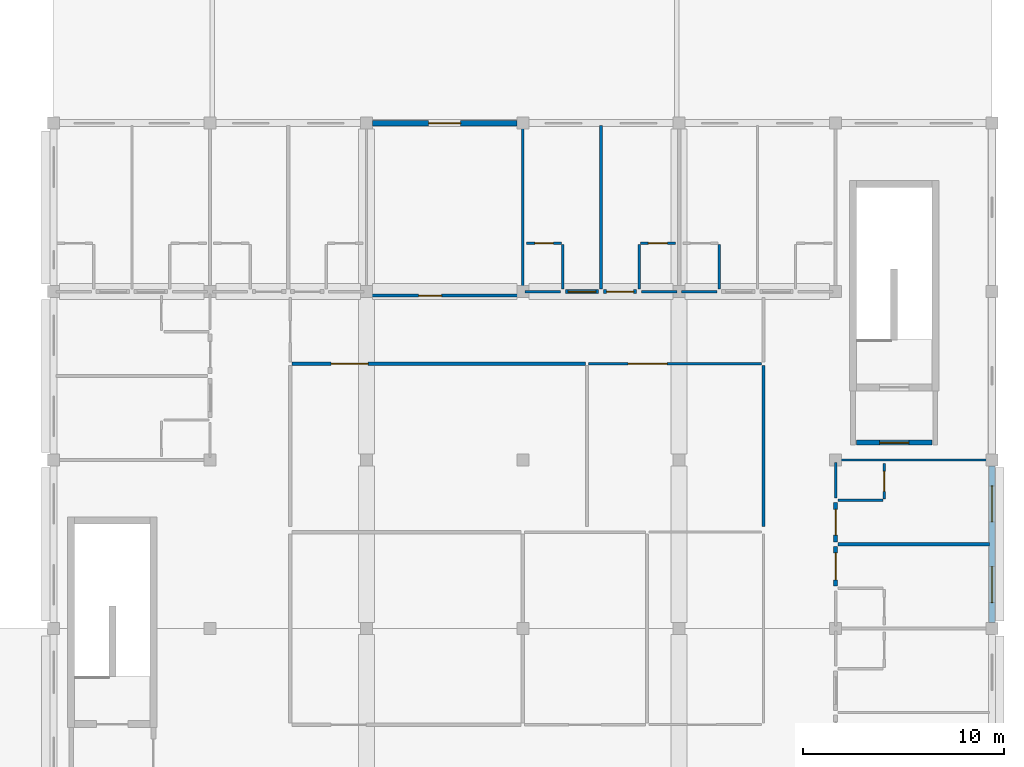
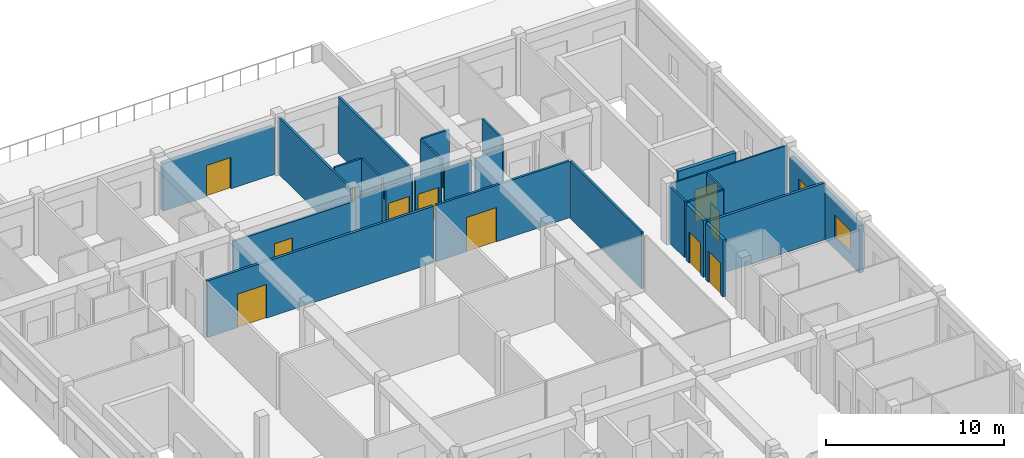
# One storey, part 23 of 32: 26 walls, 12 doors, 2 windows, 14 openings.
"""IFC4 building model written with IfcOpenShell, lengths in metres."""

from ifc_helpers import new_model, si_unit, direction, frame, frame_2d, origin, place, context, subcontext, project, spatial, rectangle, extrude, material, layer, layer_set, type_object, element, fill, save


model = new_model("IFC4")

# Units and contexts
model_context = context("Model", 3, precision=1e-05, world=origin(), true_north=direction((0.0, 1.0)))
body_context = subcontext(model_context, "Body", "Model", "MODEL_VIEW")
ifc_project = project(units=[si_unit("LENGTHUNIT", "METRE"), si_unit("AREAUNIT", "SQUARE_METRE"), si_unit("VOLUMEUNIT", "CUBIC_METRE"), si_unit("PLANEANGLEUNIT", "RADIAN"), si_unit("MASSUNIT", "GRAM", prefix="KILO"), si_unit("THERMODYNAMICTEMPERATUREUNIT", "KELVIN"), si_unit("POWERUNIT", "WATT")], contexts=[model_context])

# Site, building, storey
site_placement = place(None, origin())
site = spatial("IfcSite", under=ifc_project, at=site_placement, CompositionType="ELEMENT")
building_placement = place(site_placement, origin())
building = spatial("IfcBuilding", under=site, at=building_placement, Name="Srebrne Nadtorze General Hospital", CompositionType="ELEMENT")
storey_placement = place(building_placement, frame((0.0, 0.0, 29.699951171875)))
storey = spatial("IfcBuildingStorey", under=building, at=storey_placement, Name="L07", CompositionType="ELEMENT", Elevation=29.699951171875)

# Walls
ifc_material_1 = material(Name="Gypsum Healthcare Partition")
ifc_layer_1 = layer(ifc_material_1, 0.139892578125)
ifc_layer_set_1 = layer_set([ifc_layer_1], Name="Gypsum Healthcare Partition")
wall_type_1 = type_object("IfcWallType", Name="Clinical partition 140", PredefinedType="PARTITIONING", material=ifc_layer_set_1)
for number, where, z_axis, x_axis, name in (
    (1, (124.800048828125, 75.719970703125, 0.0), (0.0, 0.0, 1.0), (0.0, 1.0, 0.0), "Ward inter-room partition WL-INT-L07-2350"),
    (2, (128.699951171875, 75.719970703125, 0.0), (0.0, 0.0, 1.0), (0.0, 1.0, 0.0), "Ward inter-room partition WL-INT-L07-2351"),
):
    element("IfcWall", number, at=place(storey_placement, frame(where, z_axis=z_axis, x_axis=x_axis)), inside=storey, type_object=wall_type_1, Name=name, PredefinedType="PARTITIONING", context=body_context, shape_type="SweptSolid", body=[
        extrude(rectangle(XDim=8.159912109375, YDim=0.139892578125, at=frame_2d((4.080078125, 0.0))), origin(), (0.0, 0.0, 1.0), 3.880126953125),
    ])

# Wall, opening, door
wall_1_placement = place(storey_placement, frame((128.0849609375, 72.0, 0.0), z_axis=(0.0, 0.0, 1.0), x_axis=(1.0, 0.0, 0.0)))
wall_1 = element("IfcWall", 3, at=wall_1_placement, inside=storey, type_object=wall_type_1, Name="Obstetrics Delivery Suite wall WL-INT-L07-2454", PredefinedType="PARTITIONING", context=body_context, shape_type="SweptSolid", body=[
    extrude(rectangle(XDim=8.630126953125, YDim=0.139892578125, at=frame_2d((4.31494140625, 0.0))), origin(), (0.0, 0.0, 1.0), 3.880126953125),
])
opening_1_placement = place(wall_1_placement, frame((1.966796875, 0.0, 0.0)))
opening_1 = element("IfcOpeningElement", 4, at=opening_1_placement, cuts=wall_1, Name="Opening D-L07-0568", PredefinedType="OPENING", context=body_context, shape_type="SweptSolid", body=[
    extrude(rectangle(XDim=1.949951171875, YDim=2.35009765625, at=frame_2d((0.97509765625, 1.175048828125))), frame((0.0, 0.08203125, 0.0), z_axis=(0.0, -1.0, 0.0), x_axis=(1.0, 0.0, 0.0)), (0.0, 0.0, 1.0), 0.163818359375),
])
ifc_material_2 = material(Name="Anodised Aluminium", Category="aluminium")
door_type_1 = type_object("IfcDoorType", Name="Double leaf door 1950x2350", OperationType="DOUBLE_DOOR_SINGLE_SWING", PredefinedType="DOOR", material=ifc_material_2)
door_1_placement = place(opening_1_placement, frame((1.949951171875, 0.0, 0.0), z_axis=(0.0, 0.0, 1.0), x_axis=(-1.0, 0.0, 0.0)))
door_1 = element("IfcDoor", 5, at=door_1_placement, inside=storey, type_object=door_type_1, Name="Obstetrics Delivery Suite door D-L07-0568", OperationType="DOUBLE_DOOR_SINGLE_SWING", OverallHeight=2.35009765625, OverallWidth=1.949951171875, PredefinedType="DOOR", context=body_context, shape_type="SweptSolid", body=[
    extrude(rectangle(XDim=1.949951171875, YDim=2.35009765625, at=frame_2d((0.97509765625, 1.175048828125))), frame((0.0, 0.02490234375, 0.0), z_axis=(0.0, -1.0, 0.0), x_axis=(1.0, 0.0, 0.0)), (0.0, 0.0, 1.0), 0.050048828125),
])
fill(opening_1, door_1)

# Wall
wall_2_placement = place(storey_placement, frame((136.800048828125, 63.885009765625, 0.0), z_axis=(0.0, 0.0, 1.0), x_axis=(0.0, 1.0, 0.0)))
element("IfcWall", 6, at=wall_2_placement, inside=storey, type_object=wall_type_1, Name="Obstetrics Delivery Suite wall WL-INT-L07-2455", PredefinedType="PARTITIONING", context=body_context, shape_type="SweptSolid", body=[
    extrude(rectangle(XDim=8.030029296875, YDim=0.139892578125, at=frame_2d((4.01513671875, 0.0))), origin(), (0.0, 0.0, 1.0), 3.880126953125),
])

# Wall, opening, door
wall_3_placement = place(storey_placement, frame((116.919921875, 75.39990234375, 0.0), z_axis=(0.0, 0.0, 1.0), x_axis=(1.0, 0.0, 0.0)))
wall_3 = element("IfcWall", 7, at=wall_3_placement, inside=storey, type_object=wall_type_1, Name="Inpatient Ward Day Room wall WL-INT-L07-2464", PredefinedType="PARTITIONING", context=body_context, shape_type="SweptSolid", body=[
    extrude(rectangle(XDim=7.9599609375, YDim=0.139892578125, at=frame_2d((3.97998046875, 0.0))), origin(), (0.0, 0.0, 1.0), 3.25),
])
opening_2_placement = place(wall_3_placement, frame((2.684326171875, 0.0, 0.0)))
opening_2 = element("IfcOpeningElement", 8, at=opening_2_placement, cuts=wall_3, Name="Opening D-L07-0571", PredefinedType="OPENING", context=body_context, shape_type="SweptSolid", body=[
    extrude(rectangle(XDim=1.14990234375, YDim=2.14990234375, at=frame_2d((0.574951171875, 1.074951171875))), frame((0.0, 0.08203125, 0.0), z_axis=(0.0, -1.0, 0.0), x_axis=(1.0, 0.0, 0.0)), (0.0, 0.0, 1.0), 0.163818359375),
])
ifc_material_3 = material(Name="Anodised Aluminium", Category="aluminium")
door_type_2 = type_object("IfcDoorType", Name="Single leaf door 1150x2150", OperationType="NOTDEFINED", PredefinedType="DOOR", material=ifc_material_3)
door_2_placement = place(opening_2_placement, frame((1.14990234375, 0.0, 0.0), z_axis=(0.0, 0.0, 1.0), x_axis=(-1.0, 0.0, 0.0)))
door_2 = element("IfcDoor", 9, at=door_2_placement, inside=storey, type_object=door_type_2, Name="Inpatient Ward Day Room door D-L07-0571", OperationType="SINGLE_SWING_RIGHT", OverallHeight=2.14990234375, OverallWidth=1.14990234375, PredefinedType="DOOR", context=body_context, shape_type="SweptSolid", body=[
    extrude(rectangle(XDim=1.14990234375, YDim=2.14990234375, at=frame_2d((0.574951171875, 1.074951171875))), frame((0.0, 0.02490234375, 0.0), z_axis=(0.0, -1.0, 0.0), x_axis=(1.0, 0.0, 0.0)), (0.0, 0.0, 1.0), 0.050048828125),
])
fill(opening_2, door_2)

# Wall
ifc_material_4 = material(Name="Gypsum Healthcare Partition")
ifc_layer_2 = layer(ifc_material_4, 0.159912109375)
ifc_layer_set_2 = layer_set([ifc_layer_2], Name="Gypsum Healthcare Partition")
wall_type_2 = type_object("IfcWallType", Name="Clinical partition 160", PredefinedType="PARTITIONING", material=ifc_layer_set_2)
wall_4_placement = place(storey_placement, frame((140.52001953125, 63.0, 0.0), z_axis=(0.0, 0.0, 1.0), x_axis=(1.0, 0.0, 0.0)))
element("IfcWall", 10, at=wall_4_placement, inside=storey, type_object=wall_type_2, Name="Ward inter-room partition WL-INT-L07-2401", PredefinedType="PARTITIONING", context=body_context, shape_type="SweptSolid", body=[
    extrude(rectangle(XDim=7.56005859375, YDim=0.159912109375, at=frame_2d((3.780029296875, 0.0))), origin(), (0.0, 0.0, 1.0), 3.880126953125),
])

# Wall, opening, door
wall_5_placement = place(storey_placement, frame((113.284912109375, 72.0, 0.0), z_axis=(0.0, 0.0, 1.0), x_axis=(1.0, 0.0, 0.0)))
wall_5 = element("IfcWall", 11, at=wall_5_placement, inside=storey, type_object=wall_type_2, Name="Neonatal Intensive Care wall WL-INT-L07-2451", PredefinedType="PARTITIONING", context=body_context, shape_type="SweptSolid", body=[
    extrude(rectangle(XDim=14.630126953125, YDim=0.159912109375, at=frame_2d((7.31494140625, 0.0))), origin(), (0.0, 0.0, 1.0), 3.880126953125),
])
opening_3_placement = place(wall_5_placement, frame((1.95556640625, 0.0, 0.0)))
opening_3 = element("IfcOpeningElement", 12, at=opening_3_placement, cuts=wall_5, Name="Opening D-L07-0567", PredefinedType="OPENING", context=body_context, shape_type="SweptSolid", body=[
    extrude(rectangle(XDim=1.85009765625, YDim=2.300048828125, at=frame_2d((0.925048828125, 1.14990234375))), frame((0.0, 0.091796875, 0.0), z_axis=(0.0, -1.0, 0.0), x_axis=(1.0, 0.0, 0.0)), (0.0, 0.0, 1.0), 0.183837890625),
])
ifc_material_5 = material(Name="Anodised Aluminium", Category="aluminium")
door_type_3 = type_object("IfcDoorType", Name="Double leaf door 1850x2300", OperationType="DOUBLE_DOOR_SINGLE_SWING", PredefinedType="DOOR", material=ifc_material_5)
door_3_placement = place(opening_3_placement, frame((1.85009765625, 0.0, 0.0), z_axis=(0.0, 0.0, 1.0), x_axis=(-1.0, 0.0, 0.0)))
door_3 = element("IfcDoor", 13, at=door_3_placement, inside=storey, type_object=door_type_3, Name="Neonatal Intensive Care door D-L07-0567", OperationType="DOUBLE_DOOR_SINGLE_SWING", OverallHeight=2.300048828125, OverallWidth=1.85009765625, PredefinedType="DOOR", context=body_context, shape_type="SweptSolid", body=[
    extrude(rectangle(XDim=1.85009765625, YDim=2.300048828125, at=frame_2d((0.925048828125, 1.14990234375))), frame((0.0, 0.02490234375, 0.0), z_axis=(0.0, -1.0, 0.0), x_axis=(1.0, 0.0, 0.0)), (0.0, 0.0, 1.0), 0.050048828125),
])
fill(opening_3, door_3)

ifc_material_6 = material(Name="Gypsum Healthcare Partition")
ifc_layer_3 = layer(ifc_material_6, 0.199951171875)
ifc_layer_set_3 = layer_set([ifc_layer_3], Name="Gypsum Healthcare Partition")
wall_type_3 = type_object("IfcWallType", Name="Compartment wall 200", PredefinedType="STANDARD", material=ifc_layer_set_3)
wall_6_placement = place(storey_placement, frame((126.919921875, 75.60009765625, 0.0), z_axis=(0.0, 0.0, 1.0), x_axis=(1.0, 0.0, 0.0)))
wall_6 = element("IfcWall", 14, at=wall_6_placement, inside=storey, type_object=wall_type_3, Name="Ward corridor wall WL-INT-L07-2352", PredefinedType="STANDARD", context=body_context, shape_type="SweptSolid", body=[
    extrude(rectangle(XDim=1.66015625, YDim=0.199951171875, at=frame_2d((0.830078125, 0.0))), origin(), (0.0, 0.0, 1.0), 3.25),
])
opening_4_placement = place(wall_6_placement, frame((0.139892578125, 0.0, 0.0)))
opening_4 = element("IfcOpeningElement", 15, at=opening_4_placement, cuts=wall_6, Name="Opening D-L07-0529", PredefinedType="OPENING", context=body_context, shape_type="SweptSolid", body=[
    extrude(rectangle(XDim=1.3798828125, YDim=2.199951171875, at=frame_2d((0.68994140625, 1.10009765625))), frame((0.0, 0.11181640625, 0.0), z_axis=(0.0, -1.0, 0.0), x_axis=(1.0, 0.0, 0.0)), (0.0, 0.0, 1.0), 0.223876953125),
])
ifc_material_7 = material(Name="Anodised Aluminium", Category="aluminium")
door_type_4 = type_object("IfcDoorType", Name="Single leaf door 1380x2200", OperationType="NOTDEFINED", PredefinedType="DOOR", material=ifc_material_7)
door_4_placement = place(opening_4_placement, origin())
door_4 = element("IfcDoor", 16, at=door_4_placement, inside=storey, type_object=door_type_4, Name="Ward patient room door D-L07-0529", OperationType="SINGLE_SWING_LEFT", OverallHeight=2.199951171875, OverallWidth=1.3798828125, PredefinedType="DOOR", context=body_context, shape_type="SweptSolid", body=[
    extrude(rectangle(XDim=1.3798828125, YDim=2.199951171875, at=frame_2d((0.68994140625, 1.10009765625))), frame((0.0, 0.02490234375, 0.0), z_axis=(0.0, -1.0, 0.0), x_axis=(1.0, 0.0, 0.0)), (0.0, 0.0, 1.0), 0.050048828125),
])
fill(opening_4, door_4)

wall_7_placement = place(storey_placement, frame((128.820068359375, 75.60009765625, 0.0), z_axis=(0.0, 0.0, 1.0), x_axis=(1.0, 0.0, 0.0)))
wall_7 = element("IfcWall", 17, at=wall_7_placement, inside=storey, type_object=wall_type_3, Name="Ward corridor wall WL-INT-L07-2357", PredefinedType="STANDARD", context=body_context, shape_type="SweptSolid", body=[
    extrude(rectangle(XDim=1.659912109375, YDim=0.199951171875, at=frame_2d((0.830078125, 0.0))), origin(), (0.0, 0.0, 1.0), 3.25),
])
opening_5_placement = place(wall_7_placement, frame((0.155029296875, 0.0, 0.0)))
opening_5 = element("IfcOpeningElement", 18, at=opening_5_placement, cuts=wall_7, Name="Opening D-L07-0531", PredefinedType="OPENING", context=body_context, shape_type="SweptSolid", body=[
    extrude(rectangle(XDim=1.35009765625, YDim=2.14990234375, at=frame_2d((0.675048828125, 1.074951171875))), frame((0.0, 0.11181640625, 0.0), z_axis=(0.0, -1.0, 0.0), x_axis=(1.0, 0.0, 0.0)), (0.0, 0.0, 1.0), 0.223876953125),
])
ifc_material_8 = material(Name="Anodised Aluminium", Category="aluminium")
door_type_5 = type_object("IfcDoorType", Name="Single leaf door 1350x2150", OperationType="NOTDEFINED", PredefinedType="DOOR", material=ifc_material_8)
door_5_placement = place(opening_5_placement, origin())
door_5 = element("IfcDoor", 19, at=door_5_placement, inside=storey, type_object=door_type_5, Name="Ward patient room door D-L07-0531", OperationType="SINGLE_SWING_LEFT", OverallHeight=2.14990234375, OverallWidth=1.35009765625, PredefinedType="DOOR", context=body_context, shape_type="SweptSolid", body=[
    extrude(rectangle(XDim=1.35009765625, YDim=2.14990234375, at=frame_2d((0.675048828125, 1.074951171875))), frame((0.0, 0.02490234375, 0.0), z_axis=(0.0, -1.0, 0.0), x_axis=(1.0, 0.0, 0.0)), (0.0, 0.0, 1.0), 0.050048828125),
])
fill(opening_5, door_5)

wall_8_placement = place(storey_placement, frame((140.39990234375, 60.919921875, 0.0), z_axis=(0.0, 0.0, 1.0), x_axis=(0.0, 1.0, 0.0)))
wall_8 = element("IfcWall", 20, at=wall_8_placement, inside=storey, type_object=wall_type_3, Name="Ward corridor wall WL-INT-L07-2402", PredefinedType="STANDARD", context=body_context, shape_type="SweptSolid", body=[
    extrude(rectangle(XDim=1.9599609375, YDim=0.199951171875, at=frame_2d((0.97998046875, 0.0))), origin(), (0.0, 0.0, 1.0), 3.880126953125),
])
opening_6_placement = place(wall_8_placement, frame((0.304931640625, 0.0, 0.0)))
opening_6 = element("IfcOpeningElement", 21, at=opening_6_placement, cuts=wall_8, Name="Opening D-L07-0549", PredefinedType="OPENING", context=body_context, shape_type="SweptSolid", body=[
    extrude(rectangle(XDim=1.35009765625, YDim=2.14990234375, at=frame_2d((0.675048828125, 1.074951171875))), frame((0.0, 0.11181640625, 0.0), z_axis=(0.0, -1.0, 0.0), x_axis=(1.0, 0.0, 0.0)), (0.0, 0.0, 1.0), 0.223876953125),
])
door_6_placement = place(opening_6_placement, frame((1.35009765625, 0.0, 0.0), z_axis=(0.0, 0.0, 1.0), x_axis=(-1.0, 0.0, 0.0)))
door_6 = element("IfcDoor", 22, at=door_6_placement, inside=storey, type_object=door_type_5, Name="Ward patient room door D-L07-0549", OperationType="SINGLE_SWING_LEFT", OverallHeight=2.14990234375, OverallWidth=1.35009765625, PredefinedType="DOOR", context=body_context, shape_type="SweptSolid", body=[
    extrude(rectangle(XDim=1.35009765625, YDim=2.14990234375, at=frame_2d((0.675048828125, 1.074951171875))), frame((0.0, 0.02490234375, 0.0), z_axis=(0.0, -1.0, 0.0), x_axis=(1.0, 0.0, 0.0)), (0.0, 0.0, 1.0), 0.050048828125),
])
fill(opening_6, door_6)

wall_9_placement = place(storey_placement, frame((140.39990234375, 63.1201171875, 0.0), z_axis=(0.0, 0.0, 1.0), x_axis=(0.0, 1.0, 0.0)))
wall_9 = element("IfcWall", 23, at=wall_9_placement, inside=storey, type_object=wall_type_3, Name="Ward corridor wall WL-INT-L07-2407", PredefinedType="STANDARD", context=body_context, shape_type="SweptSolid", body=[
    extrude(rectangle(XDim=1.9599609375, YDim=0.199951171875, at=frame_2d((0.97998046875, 0.0))), origin(), (0.0, 0.0, 1.0), 3.880126953125),
])
opening_7_placement = place(wall_9_placement, frame((0.340087890625, 0.0, 0.0)))
opening_7 = element("IfcOpeningElement", 24, at=opening_7_placement, cuts=wall_9, Name="Opening D-L07-0551", PredefinedType="OPENING", context=body_context, shape_type="SweptSolid", body=[
    extrude(rectangle(XDim=1.280029296875, YDim=2.14990234375, at=frame_2d((0.64013671875, 1.074951171875))), frame((0.0, 0.11181640625, 0.0), z_axis=(0.0, -1.0, 0.0), x_axis=(1.0, 0.0, 0.0)), (0.0, 0.0, 1.0), 0.223876953125),
])
ifc_material_9 = material(Name="Anodised Aluminium", Category="aluminium")
door_type_6 = type_object("IfcDoorType", Name="Single leaf door 1280x2150", OperationType="NOTDEFINED", PredefinedType="DOOR", material=ifc_material_9)
door_7_placement = place(opening_7_placement, frame((1.280029296875, 0.0, 0.0), z_axis=(0.0, 0.0, 1.0), x_axis=(-1.0, 0.0, 0.0)))
door_7 = element("IfcDoor", 25, at=door_7_placement, inside=storey, type_object=door_type_6, Name="Ward patient room door D-L07-0551", OperationType="SINGLE_SWING_LEFT", OverallHeight=2.14990234375, OverallWidth=1.280029296875, PredefinedType="DOOR", context=body_context, shape_type="SweptSolid", body=[
    extrude(rectangle(XDim=1.280029296875, YDim=2.14990234375, at=frame_2d((0.64013671875, 1.074951171875))), frame((0.0, 0.02490234375, 0.0), z_axis=(0.0, -1.0, 0.0), x_axis=(1.0, 0.0, 0.0)), (0.0, 0.0, 1.0), 0.050048828125),
])
fill(opening_7, door_7)

ifc_material_10 = material(Name="Gypsum Healthcare Partition")
ifc_layer_4 = layer(ifc_material_10, 0.239990234375)
ifc_layer_set_4 = layer_set([ifc_layer_4], Name="Gypsum Healthcare Partition")
wall_type_4 = type_object("IfcWallType", Name="Corridor fire wall 240", PredefinedType="STANDARD", material=ifc_layer_set_4)
wall_10_placement = place(storey_placement, frame((141.449951171875, 68.074951171875, 0.0), z_axis=(0.0, 0.0, 1.0), x_axis=(1.0, 0.0, 0.0)))
wall_10 = element("IfcWall", 26, at=wall_10_placement, inside=storey, type_object=wall_type_4, Name="Fire lobby entry wall ST-04 WL-INT-L07-0439", PredefinedType="STANDARD", context=body_context, shape_type="SweptSolid", body=[
    extrude(rectangle(XDim=3.75, YDim=0.239990234375, at=frame_2d((1.875, 0.0))), origin(), (0.0, 0.0, 1.0), 3.900146484375),
])
opening_8_placement = place(wall_10_placement, frame((1.14990234375, 0.0, 0.0)))
opening_8 = element("IfcOpeningElement", 27, at=opening_8_placement, cuts=wall_10, Name="Opening D-L07-0110", PredefinedType="OPENING", context=body_context, shape_type="SweptSolid", body=[
    extrude(rectangle(XDim=1.449951171875, YDim=2.199951171875, at=frame_2d((0.72509765625, 1.10009765625))), frame((0.0, 0.1318359375, 0.0), z_axis=(0.0, -1.0, 0.0), x_axis=(1.0, 0.0, 0.0)), (0.0, 0.0, 1.0), 0.263916015625),
])
ifc_material_11 = material(Name="Anodised Aluminium", Category="aluminium")
door_type_7 = type_object("IfcDoorType", Name="Double leaf door 1450x2200", OperationType="DOUBLE_DOOR_SINGLE_SWING", PredefinedType="DOOR", material=ifc_material_11)
door_8_placement = place(opening_8_placement, origin())
door_8 = element("IfcDoor", 28, at=door_8_placement, inside=storey, type_object=door_type_7, Name="Fire lobby door ST-04 D-L07-0110", OperationType="DOUBLE_DOOR_SINGLE_SWING", OverallHeight=2.199951171875, OverallWidth=1.449951171875, PredefinedType="DOOR", context=body_context, shape_type="SweptSolid", body=[
    extrude(rectangle(XDim=1.449951171875, YDim=2.199951171875, at=frame_2d((0.72509765625, 1.10009765625))), frame((0.0, 0.02490234375, 0.0), z_axis=(0.0, -1.0, 0.0), x_axis=(1.0, 0.0, 0.0)), (0.0, 0.0, 1.0), 0.050048828125),
])
fill(opening_8, door_8)

# Walls
ifc_material_12 = material(Name="Gypsum Healthcare Partition")
ifc_layer_5 = layer(ifc_material_12, 0.1201171875)
ifc_layer_set_5 = layer_set([ifc_layer_5], Name="Gypsum Healthcare Partition")
wall_type_5 = type_object("IfcWallType", Name="En-suite partition 120", PredefinedType="PARTITIONING", material=ifc_layer_set_5)
wall_11_placement = place(storey_placement, frame((124.919921875, 75.60009765625, 0.0), z_axis=(0.0, 0.0, 1.0), x_axis=(1.0, 0.0, 0.0)))
element("IfcWall", 29, at=wall_11_placement, inside=storey, type_object=wall_type_5, Name="En-suite corridor wall WL-INT-L07-2353", PredefinedType="PARTITIONING", context=body_context, shape_type="SweptSolid", body=[
    extrude(rectangle(XDim=1.760009765625, YDim=0.1201171875, at=frame_2d((0.8798828125, 0.0))), origin(), (0.0, 0.0, 1.0), 3.25),
])
wall_12_placement = place(storey_placement, frame((126.800048828125, 75.719970703125, 0.0), z_axis=(0.0, 0.0, 1.0), x_axis=(0.0, 1.0, 0.0)))
element("IfcWall", 30, at=wall_12_placement, inside=storey, type_object=wall_type_5, Name="En-suite wet wall WL-INT-L07-2354", PredefinedType="PARTITIONING", context=body_context, shape_type="SweptSolid", body=[
    extrude(rectangle(XDim=2.239990234375, YDim=0.1201171875, at=frame_2d((1.1201171875, 0.0))), origin(), (0.0, 0.0, 1.0), 3.880126953125),
])

# Wall, opening, door
wall_13_placement = place(storey_placement, frame((124.97998046875, 78.02001953125, 0.0), z_axis=(0.0, 0.0, 1.0), x_axis=(1.0, 0.0, 0.0)))
wall_13 = element("IfcWall", 31, at=wall_13_placement, inside=storey, type_object=wall_type_5, Name="En-suite wet wall WL-INT-L07-2355", PredefinedType="PARTITIONING", context=body_context, shape_type="SweptSolid", body=[
    extrude(rectangle(XDim=1.760009765625, YDim=0.1201171875, at=frame_2d((0.8798828125, 0.0))), origin(), (0.0, 0.0, 1.0), 3.880126953125),
])
opening_9_placement = place(wall_13_placement, frame((0.419921875, 0.0, 0.0)))
opening_9 = element("IfcOpeningElement", 32, at=opening_9_placement, cuts=wall_13, Name="Opening D-L07-0530", PredefinedType="OPENING", context=body_context, shape_type="SweptSolid", body=[
    extrude(rectangle(XDim=0.919921875, YDim=2.080078125, at=frame_2d((0.4599609375, 1.0400390625))), frame((0.0, 0.072021484375, 0.0), z_axis=(0.0, -1.0, 0.0), x_axis=(1.0, 0.0, 0.0)), (0.0, 0.0, 1.0), 0.14404296875),
])
ifc_material_13 = material(Name="Anodised Aluminium", Category="aluminium")
door_type_8 = type_object("IfcDoorType", Name="Single leaf door 920x2080", OperationType="NOTDEFINED", PredefinedType="DOOR", material=ifc_material_13)
door_9_placement = place(opening_9_placement, frame((0.919921875, 0.0, 0.0), z_axis=(0.0, 0.0, 1.0), x_axis=(-1.0, 0.0, 0.0)))
door_9 = element("IfcDoor", 33, at=door_9_placement, inside=storey, type_object=door_type_8, Name="En-suite bathroom door D-L07-0530", OperationType="SINGLE_SWING_LEFT", OverallHeight=2.080078125, OverallWidth=0.919921875, PredefinedType="DOOR", context=body_context, shape_type="SweptSolid", body=[
    extrude(rectangle(XDim=0.919921875, YDim=2.080078125, at=frame_2d((0.4599609375, 1.0400390625))), frame((0.0, 0.02490234375, 0.0), z_axis=(0.0, -1.0, 0.0), x_axis=(1.0, 0.0, 0.0)), (0.0, 0.0, 1.0), 0.050048828125),
])
fill(opening_9, door_9)

# Walls
wall_14_placement = place(storey_placement, frame((130.719970703125, 75.60009765625, 0.0), z_axis=(0.0, 0.0, 1.0), x_axis=(1.0, 0.0, 0.0)))
element("IfcWall", 34, at=wall_14_placement, inside=storey, type_object=wall_type_5, Name="En-suite corridor wall WL-INT-L07-2358", PredefinedType="PARTITIONING", context=body_context, shape_type="SweptSolid", body=[
    extrude(rectangle(XDim=1.760009765625, YDim=0.1201171875, at=frame_2d((0.8798828125, 0.0))), origin(), (0.0, 0.0, 1.0), 3.25),
])
wall_15_placement = place(storey_placement, frame((130.60009765625, 75.719970703125, 0.0), z_axis=(0.0, 0.0, 1.0), x_axis=(0.0, 1.0, 0.0)))
element("IfcWall", 35, at=wall_15_placement, inside=storey, type_object=wall_type_5, Name="En-suite wet wall WL-INT-L07-2359", PredefinedType="PARTITIONING", context=body_context, shape_type="SweptSolid", body=[
    extrude(rectangle(XDim=2.239990234375, YDim=0.1201171875, at=frame_2d((1.1201171875, 0.0))), origin(), (0.0, 0.0, 1.0), 3.880126953125),
])

# Wall, opening, door
wall_16_placement = place(storey_placement, frame((130.659912109375, 78.02001953125, 0.0), z_axis=(0.0, 0.0, 1.0), x_axis=(1.0, 0.0, 0.0)))
wall_16 = element("IfcWall", 36, at=wall_16_placement, inside=storey, type_object=wall_type_5, Name="En-suite wet wall WL-INT-L07-2360", PredefinedType="PARTITIONING", context=body_context, shape_type="SweptSolid", body=[
    extrude(rectangle(XDim=1.760009765625, YDim=0.1201171875, at=frame_2d((0.8798828125, 0.0))), origin(), (0.0, 0.0, 1.0), 3.880126953125),
])
opening_10_placement = place(wall_16_placement, frame((0.405029296875, 0.0, 0.0)))
opening_10 = element("IfcOpeningElement", 37, at=opening_10_placement, cuts=wall_16, Name="Opening D-L07-0532", PredefinedType="OPENING", context=body_context, shape_type="SweptSolid", body=[
    extrude(rectangle(XDim=0.949951171875, YDim=2.10009765625, at=frame_2d((0.47509765625, 1.050048828125))), frame((0.0, 0.072021484375, 0.0), z_axis=(0.0, -1.0, 0.0), x_axis=(1.0, 0.0, 0.0)), (0.0, 0.0, 1.0), 0.14404296875),
])
ifc_material_14 = material(Name="Anodised Aluminium", Category="aluminium")
door_type_9 = type_object("IfcDoorType", Name="Single leaf door 950x2100", OperationType="NOTDEFINED", PredefinedType="DOOR", material=ifc_material_14)
door_10_placement = place(opening_10_placement, frame((0.949951171875, 0.0, 0.0), z_axis=(0.0, 0.0, 1.0), x_axis=(-1.0, 0.0, 0.0)))
door_10 = element("IfcDoor", 38, at=door_10_placement, inside=storey, type_object=door_type_9, Name="En-suite bathroom door D-L07-0532", OperationType="SINGLE_SWING_LEFT", OverallHeight=2.10009765625, OverallWidth=0.949951171875, PredefinedType="DOOR", context=body_context, shape_type="SweptSolid", body=[
    extrude(rectangle(XDim=0.949951171875, YDim=2.10009765625, at=frame_2d((0.47509765625, 1.050048828125))), frame((0.0, 0.02490234375, 0.0), z_axis=(0.0, -1.0, 0.0), x_axis=(1.0, 0.0, 0.0)), (0.0, 0.0, 1.0), 0.050048828125),
])
fill(opening_10, door_10)

# Walls
wall_17_placement = place(storey_placement, frame((132.719970703125, 75.60009765625, 0.0), z_axis=(0.0, 0.0, 1.0), x_axis=(1.0, 0.0, 0.0)))
element("IfcWall", 39, at=wall_17_placement, inside=storey, type_object=wall_type_5, Name="En-suite corridor wall WL-INT-L07-2363", PredefinedType="PARTITIONING", context=body_context, shape_type="SweptSolid", body=[
    extrude(rectangle(XDim=1.760009765625, YDim=0.1201171875, at=frame_2d((0.8798828125, 0.0))), origin(), (0.0, 0.0, 1.0), 3.25),
])
wall_18_placement = place(storey_placement, frame((134.60009765625, 75.719970703125, 0.0), z_axis=(0.0, 0.0, 1.0), x_axis=(0.0, 1.0, 0.0)))
element("IfcWall", 40, at=wall_18_placement, inside=storey, type_object=wall_type_5, Name="En-suite wet wall WL-INT-L07-2364", PredefinedType="PARTITIONING", context=body_context, shape_type="SweptSolid", body=[
    extrude(rectangle(XDim=2.239990234375, YDim=0.1201171875, at=frame_2d((1.1201171875, 0.0))), origin(), (0.0, 0.0, 1.0), 3.880126953125),
])
wall_19_placement = place(storey_placement, frame((140.39990234375, 65.320068359375, 0.0), z_axis=(0.0, 0.0, 1.0), x_axis=(0.0, 1.0, 0.0)))
element("IfcWall", 41, at=wall_19_placement, inside=storey, type_object=wall_type_5, Name="En-suite corridor wall WL-INT-L07-2408", PredefinedType="PARTITIONING", context=body_context, shape_type="SweptSolid", body=[
    extrude(rectangle(XDim=1.760009765625, YDim=0.1201171875, at=frame_2d((0.8798828125, 0.0))), origin(), (0.0, 0.0, 1.0), 3.880126953125),
])
wall_20_placement = place(storey_placement, frame((140.52001953125, 65.199951171875, 0.0), z_axis=(0.0, 0.0, 1.0), x_axis=(1.0, 0.0, 0.0)))
element("IfcWall", 42, at=wall_20_placement, inside=storey, type_object=wall_type_5, Name="En-suite wet wall WL-INT-L07-2409", PredefinedType="PARTITIONING", context=body_context, shape_type="SweptSolid", body=[
    extrude(rectangle(XDim=2.239990234375, YDim=0.1201171875, at=frame_2d((1.1201171875, 0.0))), origin(), (0.0, 0.0, 1.0), 3.880126953125),
])

# Wall, opening, door
wall_21_placement = place(storey_placement, frame((142.820068359375, 65.260009765625, 0.0), z_axis=(0.0, 0.0, 1.0), x_axis=(0.0, 1.0, 0.0)))
wall_21 = element("IfcWall", 43, at=wall_21_placement, inside=storey, type_object=wall_type_5, Name="En-suite wet wall WL-INT-L07-2410", PredefinedType="PARTITIONING", context=body_context, shape_type="SweptSolid", body=[
    extrude(rectangle(XDim=1.760009765625, YDim=0.1201171875, at=frame_2d((0.8798828125, 0.0))), origin(), (0.0, 0.0, 1.0), 3.880126953125),
])
opening_11_placement = place(wall_21_placement, frame((0.3798828125, 0.0, 0.0)))
opening_11 = element("IfcOpeningElement", 44, at=opening_11_placement, cuts=wall_21, Name="Opening D-L07-0552", PredefinedType="OPENING", context=body_context, shape_type="SweptSolid", body=[
    extrude(rectangle(XDim=1.0, YDim=2.10009765625, at=frame_2d((0.5, 1.050048828125))), frame((0.0, 0.072021484375, 0.0), z_axis=(0.0, -1.0, 0.0), x_axis=(1.0, 0.0, 0.0)), (0.0, 0.0, 1.0), 0.14404296875),
])
ifc_material_15 = material(Name="Anodised Aluminium", Category="aluminium")
door_type_10 = type_object("IfcDoorType", Name="Single leaf door 1000x2100", OperationType="NOTDEFINED", PredefinedType="DOOR", material=ifc_material_15)
door_11_placement = place(opening_11_placement, origin())
door_11 = element("IfcDoor", 45, at=door_11_placement, inside=storey, type_object=door_type_10, Name="En-suite bathroom door D-L07-0552", OperationType="SINGLE_SWING_LEFT", OverallHeight=2.10009765625, OverallWidth=1.0, PredefinedType="DOOR", context=body_context, shape_type="SweptSolid", body=[
    extrude(rectangle(XDim=1.0, YDim=2.10009765625, at=frame_2d((0.5, 1.050048828125))), frame((0.0, 0.02490234375, 0.0), z_axis=(0.0, -1.0, 0.0), x_axis=(1.0, 0.0, 0.0)), (0.0, 0.0, 1.0), 0.050048828125),
])
fill(opening_11, door_11)

# Wall
ifc_material_16 = material(Name="Gypsum Healthcare Partition")
ifc_layer_6 = layer(ifc_material_16, 0.10009765625)
ifc_layer_set_6 = layer_set([ifc_layer_6], Name="Gypsum Healthcare Partition")
wall_type_6 = type_object("IfcWallType", Name="Shaft lining wall 100", PredefinedType="PARTITIONING", material=ifc_layer_set_6)
wall_22_placement = place(storey_placement, frame((140.52001953125, 67.199951171875, 0.0), z_axis=(0.0, 0.0, 1.0), x_axis=(1.0, 0.0, 0.0)))
element("IfcWall", 46, at=wall_22_placement, inside=storey, type_object=wall_type_6, Name="Ward inter-room partition WL-INT-L07-2406", PredefinedType="PARTITIONING", context=body_context, shape_type="SweptSolid", body=[
    extrude(rectangle(XDim=7.56005859375, YDim=0.10009765625, at=frame_2d((3.780029296875, 0.0))), origin(), (0.0, 0.0, 1.0), 3.880126953125),
])

# Wall, opening, door
ifc_material_17 = material(Name="Concrete C35/45 precast", Category="concrete")
ifc_layer_7 = layer(ifc_material_17, 0.280029296875)
ifc_layer_set_7 = layer_set([ifc_layer_7], Name="Concrete C35/45 precast")
wall_type_7 = type_object("IfcWallType", Name="Spandrel wall 280", PredefinedType="STANDARD", material=ifc_layer_set_7)
wall_23_placement = place(storey_placement, frame((117.300048828125, 84.0, 0.0), z_axis=(0.0, 0.0, 1.0), x_axis=(1.0, 0.0, 0.0)))
wall_23 = element("IfcWall", 47, at=wall_23_placement, inside=storey, type_object=wall_type_7, Name="Exterior wall WL-ENV-L07-0518", PredefinedType="STANDARD", context=body_context, shape_type="SweptSolid", body=[
    extrude(rectangle(XDim=7.199951171875, YDim=0.280029296875, at=frame_2d((3.60009765625, 0.0))), origin(), (0.0, 0.0, 1.0), 3.25),
])
opening_12_placement = place(wall_23_placement, frame((2.800048828125, 0.0, 0.0)))
opening_12 = element("IfcOpeningElement", 48, at=opening_12_placement, cuts=wall_23, Name="Opening D-L07-E021", PredefinedType="OPENING", context=body_context, shape_type="SweptSolid", body=[
    extrude(rectangle(XDim=1.60009765625, YDim=2.14990234375, at=frame_2d((0.800048828125, 1.074951171875))), frame((0.0, 0.15185546875, 0.0), z_axis=(0.0, -1.0, 0.0), x_axis=(1.0, 0.0, 0.0)), (0.0, 0.0, 1.0), 0.303955078125),
])
ifc_material_18 = material(Name="Anodised Aluminium", Category="aluminium")
door_type_11 = type_object("IfcDoorType", Name="Double leaf door 1600x2150", OperationType="DOUBLE_DOOR_SINGLE_SWING", PredefinedType="DOOR", material=ifc_material_18)
door_12_placement = place(opening_12_placement, origin())
door_12 = element("IfcDoor", 49, at=door_12_placement, inside=storey, type_object=door_type_11, Name="Exterior door D-L07-E021", OperationType="DOUBLE_DOOR_SINGLE_SWING", OverallHeight=2.14990234375, OverallWidth=1.60009765625, PredefinedType="DOOR", context=body_context, shape_type="SweptSolid", body=[
    extrude(rectangle(XDim=1.60009765625, YDim=2.14990234375, at=frame_2d((0.800048828125, 1.074951171875))), frame((0.0, 0.02490234375, 0.0), z_axis=(0.0, -1.0, 0.0), x_axis=(1.0, 0.0, 0.0)), (0.0, 0.0, 1.0), 0.050048828125),
])
fill(opening_12, door_12)

# Wall, openings, windows
wall_24_placement = place(storey_placement, frame((148.199951171875, 59.10009765625, 0.0), z_axis=(0.0, 0.0, 1.0), x_axis=(0.0, 1.0, 0.0)))
wall_24 = element("IfcWall", 50, at=wall_24_placement, inside=storey, type_object=wall_type_7, Name="Exterior wall WL-ENV-L07-0547", PredefinedType="STANDARD", context=body_context, shape_type="SweptSolid", body=[
    extrude(rectangle(XDim=7.7998046875, YDim=0.280029296875, at=frame_2d((3.89990234375, 0.0))), origin(), (0.0, 0.0, 1.0), 3.25),
])
opening_13_placement = place(wall_24_placement, frame((0.98388671875, 0.0, 0.800048828125)))
opening_13 = element("IfcOpeningElement", 51, at=opening_13_placement, cuts=wall_24, Name="Opening WN-L07-0922", PredefinedType="OPENING", context=body_context, shape_type="SweptSolid", body=[
    extrude(rectangle(XDim=1.800048828125, YDim=1.550048828125, at=frame_2d((0.89990234375, 0.77490234375))), frame((0.0, 0.15185546875, 0.0), z_axis=(0.0, -1.0, 0.0), x_axis=(1.0, 0.0, 0.0)), (0.0, 0.0, 1.0), 0.303955078125),
])
opening_14_placement = place(wall_24_placement, frame((5.01611328125, 0.0, 0.800048828125)))
opening_14 = element("IfcOpeningElement", 52, at=opening_14_placement, cuts=wall_24, Name="Opening WN-L07-0923", PredefinedType="OPENING", context=body_context, shape_type="SweptSolid", body=[
    extrude(rectangle(XDim=1.800048828125, YDim=1.550048828125, at=frame_2d((0.89990234375, 0.77490234375))), frame((0.0, 0.15185546875, 0.0), z_axis=(0.0, -1.0, 0.0), x_axis=(1.0, 0.0, 0.0)), (0.0, 0.0, 1.0), 0.303955078125),
])
ifc_material_19 = material(Name="Triple Low-E Glazing", Category="glass")
window_type = type_object("IfcWindowType", Name="Punched clinical window 1800x1550", PartitioningType="DOUBLE_PANEL_VERTICAL", PredefinedType="WINDOW", material=ifc_material_19)
window_1_placement = place(opening_13_placement, origin())
window_1 = element("IfcWindow", 53, at=window_1_placement, inside=storey, type_object=window_type, Name="Clinical window WN-L07-0922", OverallHeight=1.550048828125, OverallWidth=1.800048828125, PartitioningType="DOUBLE_PANEL_VERTICAL", PredefinedType="WINDOW", context=body_context, shape_type="SweptSolid", body=[
    extrude(rectangle(XDim=1.800048828125, YDim=1.550048828125, at=frame_2d((0.89990234375, 0.77490234375))), frame((0.0, 0.030029296875, 0.0), z_axis=(0.0, -1.0, 0.0), x_axis=(1.0, 0.0, 0.0)), (0.0, 0.0, 1.0), 0.06005859375),
])
fill(opening_13, window_1)
window_2_placement = place(opening_14_placement, origin())
window_2 = element("IfcWindow", 54, at=window_2_placement, inside=storey, type_object=window_type, Name="Clinical window WN-L07-0923", OverallHeight=1.550048828125, OverallWidth=1.800048828125, PartitioningType="DOUBLE_PANEL_VERTICAL", PredefinedType="WINDOW", context=body_context, shape_type="SweptSolid", body=[
    extrude(rectangle(XDim=1.800048828125, YDim=1.550048828125, at=frame_2d((0.89990234375, 0.77490234375))), frame((0.0, 0.030029296875, 0.0), z_axis=(0.0, -1.0, 0.0), x_axis=(1.0, 0.0, 0.0)), (0.0, 0.0, 1.0), 0.06005859375),
])
fill(opening_14, window_2)

save(model, "model.ifc")
